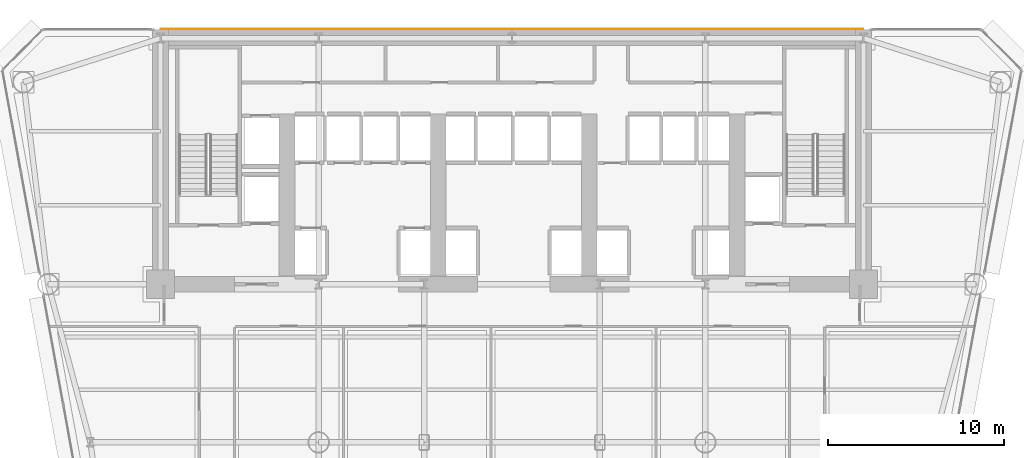
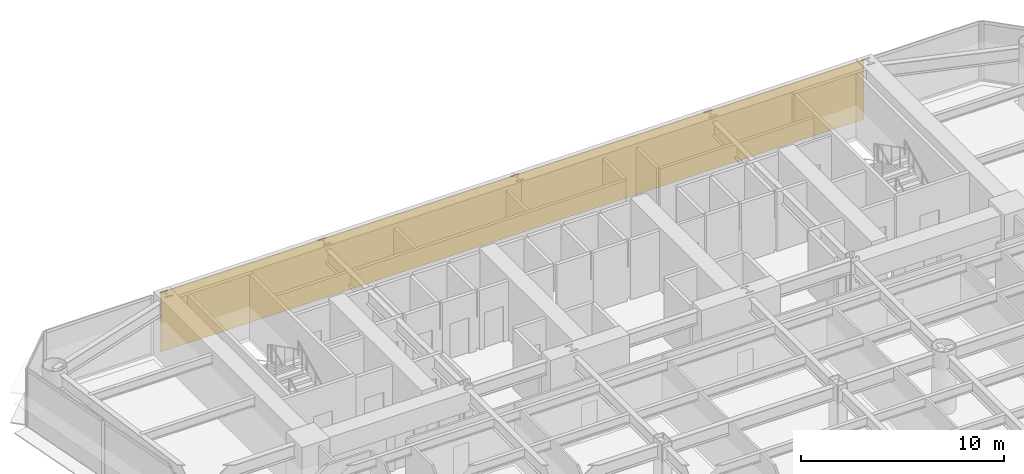
# One storey, part 13 of 14: 1 covering.
"""IFC4 building model written with IfcOpenShell, lengths in metres."""

from ifc_helpers import new_model, si_unit, direction, frame, origin, place, context, subcontext, project, spatial, polyline, outline, extrude, material, layer, layer_set, type_object, element, save


model = new_model("IFC4")

# Units and contexts
model_context = context("Model", 3, precision=1e-05, world=origin(), true_north=direction((0.0, 1.0)))
body_context = subcontext(model_context, "Body", "Model", "MODEL_VIEW")
ifc_project = project(units=[si_unit("LENGTHUNIT", "METRE"), si_unit("AREAUNIT", "SQUARE_METRE"), si_unit("VOLUMEUNIT", "CUBIC_METRE"), si_unit("PLANEANGLEUNIT", "RADIAN"), si_unit("MASSUNIT", "GRAM", prefix="KILO")], contexts=[model_context])

# Site, building, storey
site_placement = place(None, origin())
site = spatial("IfcSite", under=ifc_project, at=site_placement, CompositionType="ELEMENT")
building_placement = place(site_placement, origin())
building = spatial("IfcBuilding", under=site, at=building_placement, Name="Vaeldorn Concourse Tower", CompositionType="ELEMENT")
storey_placement = place(building_placement, frame((0.0, 0.0, 56.800048828125)))
storey = spatial("IfcBuildingStorey", under=building, at=storey_placement, Name="L14", CompositionType="ELEMENT", Elevation=56.800048828125)

# Covering
ifc_material = material(Name="Anodised Bronze Aluminium", Category="aluminium")
ifc_layer = layer(ifc_material, 0.050048828125)
ifc_layer_set = layer_set([ifc_layer], Name="Anodised Bronze Aluminium")
covering_type = type_object("IfcCoveringType", Name="COV-CLAD-BRONZE", PredefinedType="CLADDING", material=ifc_layer_set)
covering_placement = place(storey_placement, origin())
element("IfcCovering", 1, at=covering_placement, inside=storey, type_object=covering_type, Name="Rear Core Bronze Spandrel Cladding L14", PredefinedType="CLADDING", context=body_context, shape_type="SweptSolid", body=[
    extrude(outline(polyline([(14.0, 51.0), (54.0, 51.0), (54.0, 51.050048828125), (14.0, 51.050048828125), (14.0, 51.0)])), origin(), (0.0, 0.0, 1.0), 3.579833984375),
])

save(model, "model.ifc")
